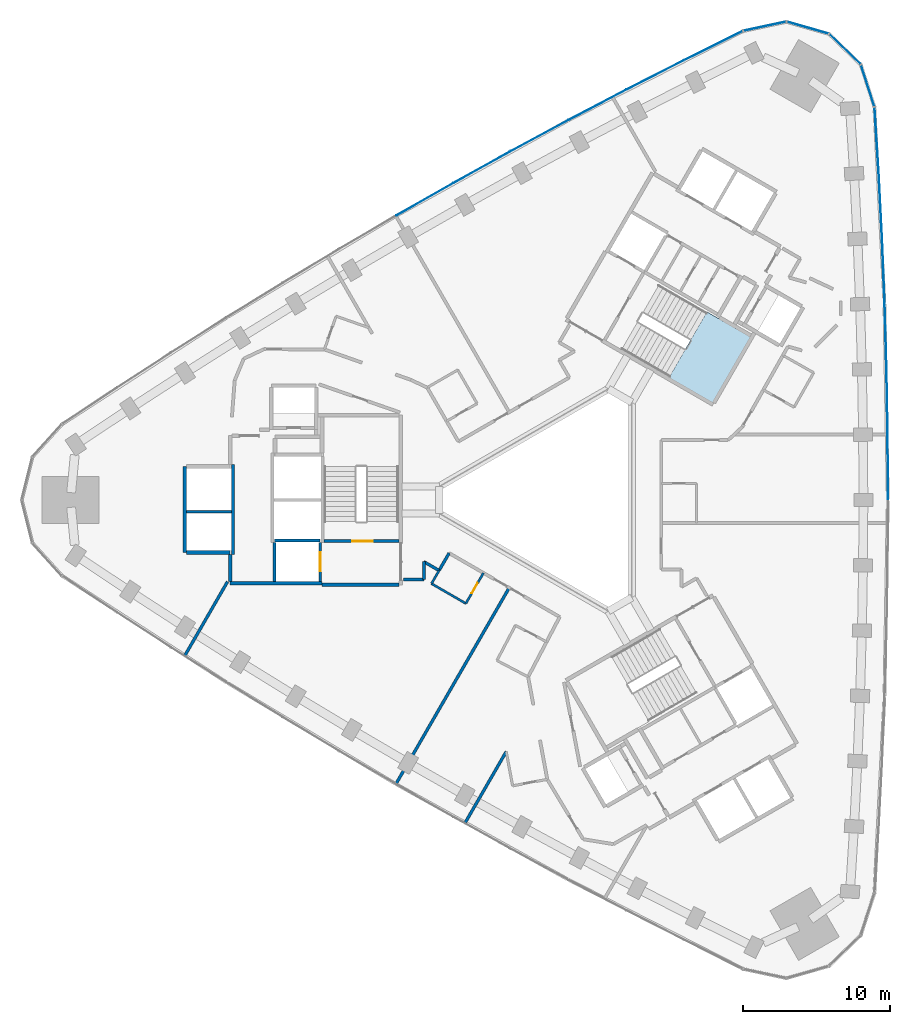
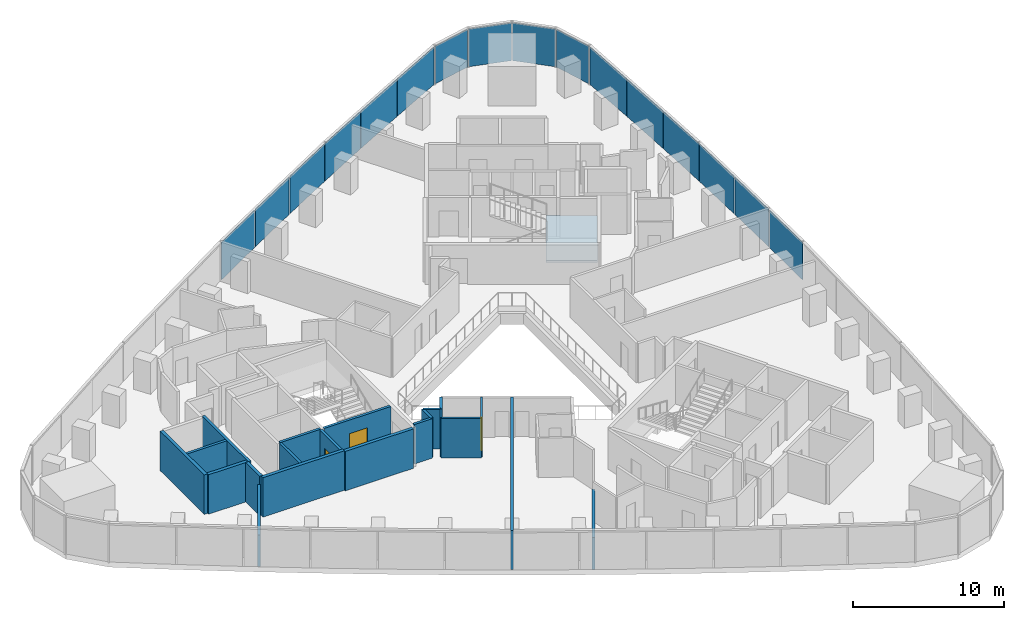
# One storey, part 7 of 12: 21 walls, 16 plates, 3 doors, 1 slab, 3 openings, 3 elements without a shape of their own.
"""IFC4 building model written with IfcOpenShell, lengths in metres."""

from ifc_helpers import new_model, si_unit, direction, frame, frame_2d, origin, origin_2d, place, context, subcontext, project, spatial, polyline, rectangle, outline, extrude, material, layer, layer_set, type_object, element, fill, aggregate, save


model = new_model("IFC4")

# Units and contexts
model_context = context("Model", 3, precision=1e-05, world=origin(), true_north=direction((0.0, 1.0)))
body_context = subcontext(model_context, "Body", "Model", "MODEL_VIEW")
ifc_project = project(units=[si_unit("LENGTHUNIT", "METRE"), si_unit("AREAUNIT", "SQUARE_METRE"), si_unit("VOLUMEUNIT", "CUBIC_METRE"), si_unit("PLANEANGLEUNIT", "RADIAN"), si_unit("MASSUNIT", "GRAM", prefix="KILO")], contexts=[model_context])

# Site, building, storey
site_placement = place(None, origin())
site = spatial("IfcSite", under=ifc_project, at=site_placement, CompositionType="ELEMENT")
building_placement = place(site_placement, origin())
building = spatial("IfcBuilding", under=site, at=building_placement, Name="Tamra Quay Hotel Tower", CompositionType="ELEMENT")
storey_placement = place(building_placement, frame((0.0, 0.0, 115.39990234375)))
storey = spatial("IfcBuildingStorey", under=building, at=storey_placement, Name="L28", CompositionType="ELEMENT", Elevation=115.39990234375)

# Stair, slab
ifc_material_1 = material(Name="Exit stair 2200 24 risers 150.0 going 342")
stair_type = type_object("IfcStairType", Name="Exit stair 2200 24 risers 150.0 going 342", PredefinedType="HALF_TURN_STAIR", material=ifc_material_1)
stair_placement = place(storey_placement, origin())
stair = element("IfcStair", 1, at=stair_placement, inside=storey, type_object=stair_type, Name="L28 Exit stair ST1", PredefinedType="HALF_TURN_STAIR")
ifc_material_2 = material(Name="Concrete M70", Category="concrete")
ifc_layer_1 = layer(ifc_material_2, 0.175048828125)
ifc_layer_set_1 = layer_set([ifc_layer_1], Name="Concrete M70 stair landing 180")
slab_type = type_object("IfcSlabType", Name="Concrete M70 stair landing 180", PredefinedType="LANDING", material=ifc_layer_set_1)
slab_placement = place(storey_placement, frame((0.0, 0.0, 1.625)))
slab = element("IfcSlab", 2, at=slab_placement, type_object=slab_type, Name="ST1 landing 1", PredefinedType="LANDING", context=body_context, shape_type="SweptSolid", body=[
    extrude(outline(polyline([(7.425048828125, 8.336669921875), (10.385009765625, 6.627685546875), (12.964599609375, 11.095458984375), (10.00439453125, 12.804443359375), (7.425048828125, 8.336669921875)])), origin(), (0.0, 0.0, 1.0), 0.175048828125),
])
aggregate(stair, [slab])

# Curtain wall, plates
ifc_material_3 = material(Name="Aluminium 6063 anodised dark grey", Category="aluminium")
curtain_wall_type_1 = type_object("IfcCurtainWallType", Name="CW1 CURTAIN WALL", PredefinedType="NOTDEFINED", material=ifc_material_3)
curtain_wall_1_placement = place(storey_placement, origin())
curtain_wall_1 = element("IfcCurtainWall", 3, at=curtain_wall_1_placement, inside=storey, type_object=curtain_wall_type_1, Name="CW1 east face L28", PredefinedType="NOTDEFINED")
ifc_material_4 = material(Name="Glass clear laminated low-iron", Category="glass")
ifc_layer_2 = layer(ifc_material_4, 0.033935546875)
ifc_layer_set_2 = layer_set([ifc_layer_2], Name="GLASS PANEL CW1 Z2")
plate_type_1 = type_object("IfcPlateType", Name="GLASS PANEL CW1 Z2", PredefinedType="CURTAIN_PANEL", material=ifc_layer_set_2)
plate_1_placement = place(storey_placement, frame((22.3203125, 2.23193359375, 0.0), z_axis=(0.0, 0.0, 1.0), x_axis=(-0.005712677225, 0.999983682526, 0.0)))
plate_1 = element("IfcPlate", 4, at=plate_1_placement, type_object=plate_type_1, Name="CW1 glass L28.E.7", PredefinedType="CURTAIN_PANEL", context=body_context, shape_type="SweptSolid", body=[
    extrude(rectangle(XDim=4.364013671875, YDim=0.033935546875, at=origin_2d()), origin(), (0.0, 0.0, 1.0), 3.06005859375),
])
plate_2_placement = place(storey_placement, frame((22.269287109375, 6.695556640625, 0.0), z_axis=(0.0, 0.0, 1.0), x_axis=(-0.017133900698, 0.999853203949, 0.0)))
plate_2 = element("IfcPlate", 5, at=plate_2_placement, type_object=plate_type_1, Name="CW1 glass L28.E.8", PredefinedType="CURTAIN_PANEL", context=body_context, shape_type="SweptSolid", body=[
    extrude(rectangle(XDim=4.364013671875, YDim=0.033935546875, at=origin_2d()), origin(), (0.0, 0.0, 1.0), 3.06005859375),
])
plate_3_placement = place(storey_placement, frame((22.167236328125, 11.158203125, 0.0), z_axis=(0.0, 0.0, 1.0), x_axis=(-0.028546238865, 0.999592473084, 0.0)))
plate_3 = element("IfcPlate", 6, at=plate_3_placement, type_object=plate_type_1, Name="CW1 glass L28.E.9", PredefinedType="CURTAIN_PANEL", context=body_context, shape_type="SweptSolid", body=[
    extrude(rectangle(XDim=4.364013671875, YDim=0.033935546875, at=origin_2d()), origin(), (0.0, 0.0, 1.0), 3.06005859375),
])
plate_4_placement = place(storey_placement, frame((22.014404296875, 15.61962890625, 0.0), z_axis=(0.0, 0.0, 1.0), x_axis=(-0.039943755239, 0.999201929751, 0.0)))
plate_4 = element("IfcPlate", 7, at=plate_4_placement, type_object=plate_type_1, Name="CW1 glass L28.E.10", PredefinedType="CURTAIN_PANEL", context=body_context, shape_type="SweptSolid", body=[
    extrude(rectangle(XDim=4.364013671875, YDim=0.033935546875, at=origin_2d()), origin(), (0.0, 0.0, 1.0), 3.06005859375),
])
plate_5_placement = place(storey_placement, frame((21.810791015625, 20.078857421875, 0.0), z_axis=(0.0, 0.0, 1.0), x_axis=(-0.051320550821, 0.998682232276, 0.0)))
plate_5 = element("IfcPlate", 8, at=plate_5_placement, type_object=plate_type_1, Name="CW1 glass L28.E.11", PredefinedType="CURTAIN_PANEL", context=body_context, shape_type="SweptSolid", body=[
    extrude(rectangle(XDim=4.364013671875, YDim=0.033935546875, at=origin_2d()), origin(), (0.0, 0.0, 1.0), 3.06005859375),
])
plate_6_placement = place(storey_placement, frame((21.556396484375, 24.53515625, 0.0), z_axis=(0.0, 0.0, 1.0), x_axis=(-0.062670105733, 0.998034296929, 0.0)))
plate_6 = element("IfcPlate", 9, at=plate_6_placement, type_object=plate_type_1, Name="CW1 glass L28.E.12", PredefinedType="CURTAIN_PANEL", context=body_context, shape_type="SweptSolid", body=[
    extrude(rectangle(XDim=4.363525390625, YDim=0.033935546875, at=origin_2d()), origin(), (0.0, 0.0, 1.0), 3.06005859375),
])
plate_7_placement = place(storey_placement, frame((20.9521484375, 28.197509765625, 0.0), z_axis=(0.0, 0.0, 1.0), x_axis=(-0.307790863622, 0.951454036867, 0.0)))
plate_7 = element("IfcPlate", 10, at=plate_7_placement, type_object=plate_type_1, Name="CW1 glass L28.E.13", PredefinedType="CURTAIN_PANEL", context=body_context, shape_type="SweptSolid", body=[
    extrude(rectangle(XDim=2.916748046875, YDim=0.033935546875, at=origin_2d()), origin(), (0.0, 0.0, 1.0), 3.06005859375),
])
plate_8_placement = place(storey_placement, frame((19.4033203125, 30.680908203125, 0.0), z_axis=(0.0, 0.0, 1.0), x_axis=(-0.71904127153, 0.694967373217, 0.0)))
plate_8 = element("IfcPlate", 11, at=plate_8_placement, type_object=plate_type_1, Name="CW1 glass L28.E.14", PredefinedType="CURTAIN_PANEL", context=body_context, shape_type="SweptSolid", body=[
    extrude(rectangle(XDim=2.916748046875, YDim=0.033935546875, at=origin_2d()), origin(), (0.0, 0.0, 1.0), 3.06005859375),
])
plate_9_placement = place(storey_placement, frame((16.868896484375, 32.144287109375, 0.0), z_axis=(0.0, 0.0, 1.0), x_axis=(-0.961380035772, 0.275224320906, 0.0)))
plate_9 = element("IfcPlate", 12, at=plate_9_placement, type_object=plate_type_1, Name="CW1 glass L28.E.15", PredefinedType="CURTAIN_PANEL", context=body_context, shape_type="SweptSolid", body=[
    extrude(rectangle(XDim=2.916748046875, YDim=0.033935546875, at=origin_2d()), origin(), (0.0, 0.0, 1.0), 3.06005859375),
])
plate_10_placement = place(storey_placement, frame((13.94384765625, 32.243896484375, 0.0), z_axis=(0.0, 0.0, 1.0), x_axis=(-0.977878798271, -0.209172311484, 0.0)))
plate_10 = element("IfcPlate", 13, at=plate_10_placement, type_object=plate_type_1, Name="CW1 glass L28.E.16", PredefinedType="CURTAIN_PANEL", context=body_context, shape_type="SweptSolid", body=[
    extrude(rectangle(XDim=2.916748046875, YDim=0.033935546875, at=origin_2d()), origin(), (0.0, 0.0, 1.0), 3.06005859375),
])
aggregate(curtain_wall_1, [plate_1, plate_2, plate_3, plate_4, plate_5, plate_6, plate_7, plate_8, plate_9, plate_10])

curtain_wall_type_2 = type_object("IfcCurtainWallType", Name="CW2 CURTAIN WALL", PredefinedType="NOTDEFINED", material=ifc_material_3)
curtain_wall_2_placement = place(storey_placement, origin())
curtain_wall_2 = element("IfcCurtainWall", 14, at=curtain_wall_2_placement, inside=storey, type_object=curtain_wall_type_2, Name="CW2 north-west face L28", PredefinedType="NOTDEFINED")
ifc_layer_3 = layer(ifc_material_4, 0.033935546875)
ifc_layer_set_3 = layer_set([ifc_layer_3], Name="GLASS PANEL CW2 Z2")
plate_type_2 = type_object("IfcPlateType", Name="GLASS PANEL CW2 Z2", PredefinedType="CURTAIN_PANEL", material=ifc_layer_set_3)
plate_11_placement = place(storey_placement, frame((10.469970703125, 30.935791015625, 0.0), z_axis=(0.0, 0.0, 1.0), x_axis=(-0.895658107856, -0.444743244842, 0.0)))
plate_11 = element("IfcPlate", 15, at=plate_11_placement, type_object=plate_type_2, Name="CW2 glass L28.NW.1", PredefinedType="CURTAIN_PANEL", context=body_context, shape_type="SweptSolid", body=[
    extrude(rectangle(XDim=4.363525390625, YDim=0.033935546875, at=origin_2d()), origin(), (0.0, 0.0, 1.0), 3.06005859375),
])
plate_12_placement = place(storey_placement, frame((6.4833984375, 28.927978515625, 0.0), z_axis=(0.0, 0.0, 1.0), x_axis=(-0.89054445887, -0.454896215391, 0.0)))
plate_12 = element("IfcPlate", 16, at=plate_12_placement, type_object=plate_type_2, Name="CW2 glass L28.NW.2", PredefinedType="CURTAIN_PANEL", context=body_context, shape_type="SweptSolid", body=[
    extrude(rectangle(XDim=4.364013671875, YDim=0.033935546875, at=origin_2d()), origin(), (0.0, 0.0, 1.0), 3.06005859375),
])
plate_13_placement = place(storey_placement, frame((2.519775390625, 26.874755859375, 0.0), z_axis=(0.0, 0.0, 1.0), x_axis=(-0.885306132294, -0.465008658116, 0.0)))
plate_13 = element("IfcPlate", 17, at=plate_13_placement, type_object=plate_type_2, Name="CW2 glass L28.NW.3", PredefinedType="CURTAIN_PANEL", context=body_context, shape_type="SweptSolid", body=[
    extrude(rectangle(XDim=4.364013671875, YDim=0.033935546875, at=origin_2d()), origin(), (0.0, 0.0, 1.0), 3.06005859375),
])
plate_14_placement = place(storey_placement, frame((-1.420166015625, 24.776611328125, 0.0), z_axis=(0.0, 0.0, 1.0), x_axis=(-0.879945594555, -0.475074468502, 0.0)))
plate_14 = element("IfcPlate", 18, at=plate_14_placement, type_object=plate_type_2, Name="CW2 glass L28.NW.4", PredefinedType="CURTAIN_PANEL", context=body_context, shape_type="SweptSolid", body=[
    extrude(rectangle(XDim=4.364013671875, YDim=0.033935546875, at=origin_2d()), origin(), (0.0, 0.0, 1.0), 3.06005859375),
])
plate_15_placement = place(storey_placement, frame((-5.336181640625, 22.633544921875, 0.0), z_axis=(0.0, 0.0, 1.0), x_axis=(-0.874465225024, -0.485088208704, 0.0)))
plate_15 = element("IfcPlate", 19, at=plate_15_placement, type_object=plate_type_2, Name="CW2 glass L28.NW.5", PredefinedType="CURTAIN_PANEL", context=body_context, shape_type="SweptSolid", body=[
    extrude(rectangle(XDim=4.364013671875, YDim=0.033935546875, at=origin_2d()), origin(), (0.0, 0.0, 1.0), 3.06005859375),
])
plate_16_placement = place(storey_placement, frame((-9.227294921875, 20.44580078125, 0.0), z_axis=(0.0, 0.0, 1.0), x_axis=(-0.86886761105, -0.495044517663, 0.0)))
plate_16 = element("IfcPlate", 20, at=plate_16_placement, type_object=plate_type_2, Name="CW2 glass L28.NW.6", PredefinedType="CURTAIN_PANEL", context=body_context, shape_type="SweptSolid", body=[
    extrude(rectangle(XDim=4.364013671875, YDim=0.033935546875, at=origin_2d()), origin(), (0.0, 0.0, 1.0), 3.06005859375),
])
aggregate(curtain_wall_2, [plate_11, plate_12, plate_13, plate_14, plate_15, plate_16])

# Wall
ifc_layer_4 = layer(ifc_material_2, 0.199951171875)
ifc_layer_set_4 = layer_set([ifc_layer_4], Name="Concrete M70 core wall 200")
wall_type_1 = type_object("IfcWallType", Name="Concrete M70 core wall 200", PredefinedType="SHEAR", material=ifc_layer_set_4)
wall_1_placement = place(storey_placement, frame((-22.26220703125, 2.400146484375, 0.0), z_axis=(0.0, 0.0, 1.0), x_axis=(0.0, -1.0, 0.0)))
element("IfcWall", 21, at=wall_1_placement, inside=storey, type_object=wall_type_1, Name="CW2", PredefinedType="SHEAR", context=body_context, shape_type="SweptSolid", body=[
    extrude(rectangle(XDim=6.100341796875, YDim=0.199951171875, at=frame_2d((3.05029296875, 0.0))), origin(), (0.0, 0.0, 1.0), 3.2001953125),
])

# Wall, opening, door
wall_2_placement = place(storey_placement, frame((-10.96337890625, -2.800048828125, 0.0), z_axis=(0.0, 0.0, 1.0), x_axis=(-1.0, 0.0, 0.0)))
wall_2 = element("IfcWall", 22, at=wall_2_placement, inside=storey, type_object=wall_type_1, Name="CW2", PredefinedType="SHEAR", context=body_context, shape_type="SweptSolid", body=[
    extrude(rectangle(XDim=5.097900390625, YDim=0.199951171875, at=frame_2d((2.548828125, 0.0))), origin(), (0.0, 0.0, 1.0), 3.2001953125),
])
opening_1_placement = place(wall_2_placement, frame((1.77392578125, 0.0, 0.0)))
opening_1 = element("IfcOpeningElement", 23, at=opening_1_placement, cuts=wall_2, Name="Opening FD2", PredefinedType="OPENING", context=body_context, shape_type="SweptSolid", body=[
    extrude(rectangle(XDim=1.39990234375, YDim=2.10009765625, at=frame_2d((0.699951171875, 1.050048828125))), frame((0.0, 0.10986328125, 0.0), z_axis=(0.0, -1.0, 0.0), x_axis=(1.0, 0.0, 0.0)), (0.0, 0.0, 1.0), 0.219970703125),
])
ifc_material_5 = material(Name="Core door FD2 1400x2100 LH")
door_type_1 = type_object("IfcDoorType", Name="Core door FD2 1400x2100 LH", OperationType="NOTDEFINED", PredefinedType="DOOR", material=ifc_material_5)
door_1_placement = place(opening_1_placement, origin())
door_1 = element("IfcDoor", 24, at=door_1_placement, inside=storey, type_object=door_type_1, Name="FD2", OperationType="SINGLE_SWING_LEFT", OverallHeight=2.10009765625, OverallWidth=1.39990234375, PredefinedType="DOOR", context=body_context, shape_type="SweptSolid", body=[
    extrude(rectangle(XDim=1.39990234375, YDim=2.10009765625, at=frame_2d((0.699951171875, 1.050048828125))), frame((0.0, 0.02490234375, 0.0), z_axis=(0.0, -1.0, 0.0), x_axis=(1.0, 0.0, 0.0)), (0.0, 0.0, 1.0), 0.050048828125),
])
fill(opening_1, door_1)

# Walls
wall_3_placement = place(storey_placement, frame((-22.36328125, -0.800048828125, 0.0), z_axis=(0.0, 0.0, 1.0), x_axis=(-1.0, 0.0, 0.0)))
element("IfcWall", 25, at=wall_3_placement, inside=storey, type_object=wall_type_1, Name="CW2", PredefinedType="SHEAR", context=body_context, shape_type="SweptSolid", body=[
    extrude(rectangle(XDim=3.048095703125, YDim=0.199951171875, at=frame_2d((1.52392578125, 0.0))), origin(), (0.0, 0.0, 1.0), 3.2001953125),
])
wall_4_placement = place(storey_placement, frame((-19.412353515625, -2.75, 0.0), z_axis=(0.0, 0.0, 1.0), x_axis=(1.0, 0.0, 0.0)))
element("IfcWall", 26, at=wall_4_placement, inside=storey, type_object=wall_type_1, Name="CW2", PredefinedType="SHEAR", context=body_context, shape_type="SweptSolid", body=[
    extrude(rectangle(XDim=3.10009765625, YDim=0.199951171875, at=frame_2d((1.550048828125, 0.0))), origin(), (0.0, 0.0, 1.0), 3.2001953125),
])

# Wall, opening, door
wall_5_placement = place(storey_placement, frame((-16.312255859375, -2.898193359375, 0.0), z_axis=(0.0, 0.0, 1.0), x_axis=(0.0, -1.0, 0.0)))
wall_5 = element("IfcWall", 27, at=wall_5_placement, inside=storey, type_object=wall_type_1, Name="CW2", PredefinedType="SHEAR", context=body_context, shape_type="SweptSolid", body=[
    extrude(rectangle(XDim=2.65087890625, YDim=0.199951171875, at=frame_2d((1.325439453125, 0.0))), origin(), (0.0, 0.0, 1.0), 3.2001953125),
])
opening_2_placement = place(wall_5_placement, frame((0.65185546875, 0.0, 0.0)))
opening_2 = element("IfcOpeningElement", 28, at=opening_2_placement, cuts=wall_5, Name="Opening LD", PredefinedType="OPENING", context=body_context, shape_type="SweptSolid", body=[
    extrude(rectangle(XDim=1.300048828125, YDim=2.10009765625, at=frame_2d((0.64990234375, 1.050048828125))), frame((0.0, 0.10986328125, 0.0), z_axis=(0.0, -1.0, 0.0), x_axis=(1.0, 0.0, 0.0)), (0.0, 0.0, 1.0), 0.219970703125),
])
ifc_material_6 = material(Name="Landing door LD 1300 sliding to left")
door_type_2 = type_object("IfcDoorType", Name="Landing door LD 1300 sliding to left", OperationType="NOTDEFINED", PredefinedType="DOOR", material=ifc_material_6)
door_2_placement = place(opening_2_placement, origin())
door_2 = element("IfcDoor", 29, at=door_2_placement, inside=storey, type_object=door_type_2, Name="LD", OperationType="SLIDING_TO_LEFT", OverallHeight=2.10009765625, OverallWidth=1.300048828125, PredefinedType="DOOR", context=body_context, shape_type="SweptSolid", body=[
    extrude(rectangle(XDim=1.300048828125, YDim=2.10009765625, at=frame_2d((0.64990234375, 1.050048828125))), frame((0.0, 0.02490234375, 0.0), z_axis=(0.0, -1.0, 0.0), x_axis=(1.0, 0.0, 0.0)), (0.0, 0.0, 1.0), 0.050048828125),
])
fill(opening_2, door_2)

# Walls
wall_6_placement = place(storey_placement, frame((-19.412353515625, -5.549072265625, 0.0), z_axis=(0.0, 0.0, 1.0), x_axis=(0.0, 1.0, 0.0)))
element("IfcWall", 30, at=wall_6_placement, inside=storey, type_object=wall_type_1, Name="CW2", PredefinedType="SHEAR", context=body_context, shape_type="SweptSolid", body=[
    extrude(rectangle(XDim=2.65087890625, YDim=0.199951171875, at=frame_2d((1.325439453125, 0.0))), origin(), (0.0, 0.0, 1.0), 3.2001953125),
])
ifc_layer_5 = layer(ifc_material_2, 0.25)
ifc_layer_set_5 = layer_set([ifc_layer_5], Name="Concrete M70 core wall 250")
wall_type_2 = type_object("IfcWallType", Name="Concrete M70 core wall 250", PredefinedType="SHEAR", material=ifc_layer_set_5)
wall_7_placement = place(storey_placement, frame((-16.187255859375, -5.675048828125, 0.0), z_axis=(0.0, 0.0, 1.0), x_axis=(-1.0, 0.0, 0.0)))
element("IfcWall", 31, at=wall_7_placement, inside=storey, type_object=wall_type_2, Name="CW1", PredefinedType="SHEAR", context=body_context, shape_type="SweptSolid", body=[
    extrude(rectangle(XDim=6.25, YDim=0.25, at=frame_2d((3.125, 0.0))), origin(), (0.0, 0.0, 1.0), 3.2001953125),
])
wall_8_placement = place(storey_placement, frame((-25.537353515625, -3.574951171875, 0.0), z_axis=(0.0, 0.0, 1.0), x_axis=(0.0, 1.0, 0.0)))
element("IfcWall", 32, at=wall_8_placement, inside=storey, type_object=wall_type_2, Name="CW1", PredefinedType="SHEAR", context=body_context, shape_type="SweptSolid", body=[
    extrude(rectangle(XDim=5.849853515625, YDim=0.25, at=frame_2d((2.9248046875, 0.0))), origin(), (0.0, 0.0, 1.0), 3.2001953125),
])
wall_9_placement = place(storey_placement, frame((-10.962646484375, -5.77490234375, 0.0), z_axis=(0.0, 0.0, 1.0), x_axis=(-1.0, 0.0, 0.0)))
element("IfcWall", 33, at=wall_9_placement, inside=storey, type_object=wall_type_2, Name="CW1", PredefinedType="SHEAR", context=body_context, shape_type="SweptSolid", body=[
    extrude(rectangle(XDim=5.224609375, YDim=0.25, at=frame_2d((2.6123046875, 0.0))), origin(), (0.0, 0.0, 1.0), 3.2001953125),
])
wall_10_placement = place(storey_placement, frame((-22.437255859375, -3.574951171875, 0.0), z_axis=(0.0, 0.0, 1.0), x_axis=(-1.0, 0.0, 0.0)))
element("IfcWall", 34, at=wall_10_placement, inside=storey, type_object=wall_type_2, Name="CW1", PredefinedType="SHEAR", context=body_context, shape_type="SweptSolid", body=[
    extrude(rectangle(XDim=2.974609375, YDim=0.25, at=frame_2d((1.4873046875, 0.0))), origin(), (0.0, 0.0, 1.0), 3.2001953125),
])
wall_11_placement = place(storey_placement, frame((-22.437255859375, -5.549560546875, 0.0), z_axis=(0.0, 0.0, 1.0), x_axis=(0.0, 1.0, 0.0)))
element("IfcWall", 35, at=wall_11_placement, inside=storey, type_object=wall_type_2, Name="CW1", PredefinedType="SHEAR", context=body_context, shape_type="SweptSolid", body=[
    extrude(rectangle(XDim=1.84912109375, YDim=0.25, at=frame_2d((0.924560546875, 0.0))), origin(), (0.0, 0.0, 1.0), 3.2001953125),
])
ifc_material_7 = material(Name="Partition corridor wall")
ifc_layer_6 = layer(ifc_material_7, 0.199951171875)
ifc_layer_set_6 = layer_set([ifc_layer_6], Name="Partition corridor wall")
wall_type_3 = type_object("IfcWallType", Name="Partition corridor wall", PredefinedType="PARTITIONING", material=ifc_layer_set_6)
wall_12_placement = place(storey_placement, frame((-10.65234375, -5.39990234375, 0.0), z_axis=(0.0, 0.0, 1.0), x_axis=(1.0, 0.0, 0.0)))
element("IfcWall", 36, at=wall_12_placement, inside=storey, type_object=wall_type_3, Name="W-C", PredefinedType="PARTITIONING", context=body_context, shape_type="SweptSolid", body=[
    extrude(rectangle(XDim=1.390380859375, YDim=0.199951171875, at=frame_2d((0.6953125, 0.0))), origin(), (0.0, 0.0, 1.0), 3.2001953125),
])
for number, where, z_axis, x_axis, name in (
    (37, (-9.261962890625, -5.39990234375, 0.0), (0.0, 0.0, 1.0), (0.0, 1.0, 0.0), "W-C"),
    (38, (-9.261962890625, -4.199951171875, 0.0), (0.0, 0.0, 1.0), (0.865955154139, -0.50012165622, 0.0), "W-C"),
):
    element("IfcWall", number, at=place(storey_placement, frame(where, z_axis=z_axis, x_axis=x_axis)), inside=storey, type_object=wall_type_3, Name=name, PredefinedType="PARTITIONING", context=body_context, shape_type="SweptSolid", body=[
        extrude(rectangle(XDim=1.199951171875, YDim=0.199951171875, at=frame_2d((0.60009765625, 0.0))), origin(), (0.0, 0.0, 1.0), 3.2001953125),
    ])
wall_13_placement = place(storey_placement, frame((-8.222900390625, -4.800048828125, 0.0), z_axis=(0.0, 0.0, 1.0), x_axis=(0.499804837697, 0.866138051476, 0.0)))
element("IfcWall", 39, at=wall_13_placement, inside=storey, type_object=wall_type_3, Name="W-C", PredefinedType="PARTITIONING", context=body_context, shape_type="SweptSolid", body=[
    extrude(rectangle(XDim=1.3681640625, YDim=0.199951171875, at=frame_2d((0.68408203125, 0.0))), origin(), (0.0, 0.0, 1.0), 3.2001953125),
])
ifc_material_8 = material(Name="Partition en-suite wall")
ifc_layer_7 = layer(ifc_material_8, 0.14990234375)
ifc_layer_set_7 = layer_set([ifc_layer_7], Name="Partition en-suite wall")
wall_type_4 = type_object("IfcWallType", Name="Partition en-suite wall", PredefinedType="PARTITIONING", material=ifc_layer_set_7)
wall_14_placement = place(storey_placement, frame((-8.738037109375, -5.69091796875, 0.0), z_axis=(0.0, 0.0, 1.0), x_axis=(0.500167013294, 0.865928957139, 0.0)))
element("IfcWall", 40, at=wall_14_placement, inside=storey, type_object=wall_type_4, Name="W-E", PredefinedType="PARTITIONING", context=body_context, shape_type="SweptSolid", body=[
    extrude(rectangle(XDim=1.030029296875, YDim=0.14990234375, at=frame_2d((0.51513671875, 0.0))), origin(), (0.0, 0.0, 1.0), 3.2001953125),
])
wall_15_placement = place(storey_placement, frame((-8.737060546875, -5.694091796875, 0.0), z_axis=(0.0, 0.0, 1.0), x_axis=(0.865808401238, -0.500375671217, 0.0)))
element("IfcWall", 41, at=wall_15_placement, inside=storey, type_object=wall_type_4, Name="W-E", PredefinedType="PARTITIONING", context=body_context, shape_type="SweptSolid", body=[
    extrude(rectangle(XDim=2.69580078125, YDim=0.14990234375, at=frame_2d((1.347900390625, 0.0))), origin(), (0.0, 0.0, 1.0), 3.2001953125),
])

# Wall, opening, door
wall_16_placement = place(storey_placement, frame((-6.39990234375, -7.0419921875, 0.0), z_axis=(0.0, 0.0, 1.0), x_axis=(0.499831206644, 0.866122834744, 0.0)))
wall_16 = element("IfcWall", 42, at=wall_16_placement, inside=storey, type_object=wall_type_4, Name="W-E", PredefinedType="PARTITIONING", context=body_context, shape_type="SweptSolid", body=[
    extrude(rectangle(XDim=2.396728515625, YDim=0.14990234375, at=frame_2d((1.1982421875, 0.0))), origin(), (0.0, 0.0, 1.0), 3.2001953125),
])
opening_3_placement = place(wall_16_placement, frame((0.79833984375, 0.0, 0.0)))
opening_3 = element("IfcOpeningElement", 43, at=opening_3_placement, cuts=wall_16, Name="Opening L28-D013", PredefinedType="OPENING", context=body_context, shape_type="SweptSolid", body=[
    extrude(rectangle(XDim=0.800048828125, YDim=2.10009765625, at=frame_2d((0.39990234375, 1.050048828125))), frame((0.0, 0.0849609375, 0.0), z_axis=(0.0, -1.0, 0.0), x_axis=(1.0, 0.0, 0.0)), (0.0, 0.0, 1.0), 0.169921875),
])
ifc_material_9 = material(Name="Door en-suite 800x2100")
door_type_3 = type_object("IfcDoorType", Name="Door en-suite 800x2100", OperationType="NOTDEFINED", PredefinedType="DOOR", material=ifc_material_9)
door_3_placement = place(opening_3_placement, origin())
door_3 = element("IfcDoor", 44, at=door_3_placement, inside=storey, type_object=door_type_3, Name="L28-D013", OperationType="SINGLE_SWING_LEFT", OverallHeight=2.10009765625, OverallWidth=0.800048828125, PredefinedType="DOOR", context=body_context, shape_type="SweptSolid", body=[
    extrude(rectangle(XDim=0.800048828125, YDim=2.10009765625, at=frame_2d((0.39990234375, 1.050048828125))), frame((0.0, 0.02490234375, 0.0), z_axis=(0.0, -1.0, 0.0), x_axis=(1.0, 0.0, 0.0)), (0.0, 0.0, 1.0), 0.050048828125),
])
fill(opening_3, door_3)

# Walls
ifc_material_10 = material(Name="Partition party wall")
ifc_layer_8 = layer(ifc_material_10, 0.199951171875)
ifc_layer_set_8 = layer_set([ifc_layer_8], Name="Partition party wall")
wall_type_5 = type_object("IfcWallType", Name="Partition party wall", PredefinedType="PARTITIONING", material=ifc_layer_set_8)
wall_17_placement = place(storey_placement, frame((-25.54052734375, -10.613525390625, 0.0), z_axis=(0.0, 0.0, 1.0), x_axis=(0.500021796384, 0.866012819271, 0.0)))
element("IfcWall", 45, at=wall_17_placement, inside=storey, type_object=wall_type_5, Name="W-P", PredefinedType="PARTITIONING", context=body_context, shape_type="SweptSolid", body=[
    extrude(rectangle(XDim=5.836181640625, YDim=0.199951171875, at=frame_2d((2.91796875, 0.0))), origin(), (0.0, 0.0, 1.0), 2.580078125),
])
wall_18_placement = place(storey_placement, frame((-11.1630859375, -19.337158203125, 0.0), z_axis=(0.0, 0.0, 1.0), x_axis=(0.499956700234, 0.866050401473, 0.0)))
element("IfcWall", 46, at=wall_18_placement, inside=storey, type_object=wall_type_5, Name="W-P", PredefinedType="PARTITIONING", context=body_context, shape_type="SweptSolid", body=[
    extrude(rectangle(XDim=15.427490234375, YDim=0.199951171875, at=frame_2d((7.7138671875, 0.0))), origin(), (0.0, 0.0, 1.0), 3.2001953125),
])
wall_19_placement = place(storey_placement, frame((-6.46630859375, -22.000732421875, 0.0), z_axis=(0.0, 0.0, 1.0), x_axis=(0.499957307824, 0.86605005072, 0.0)))
element("IfcWall", 47, at=wall_19_placement, inside=storey, type_object=wall_type_5, Name="W-P", PredefinedType="PARTITIONING", context=body_context, shape_type="SweptSolid", body=[
    extrude(rectangle(XDim=5.63916015625, YDim=0.199951171875, at=frame_2d((2.819580078125, 0.0))), origin(), (0.0, 0.0, 1.0), 2.580078125),
])

save(model, "model.ifc")
